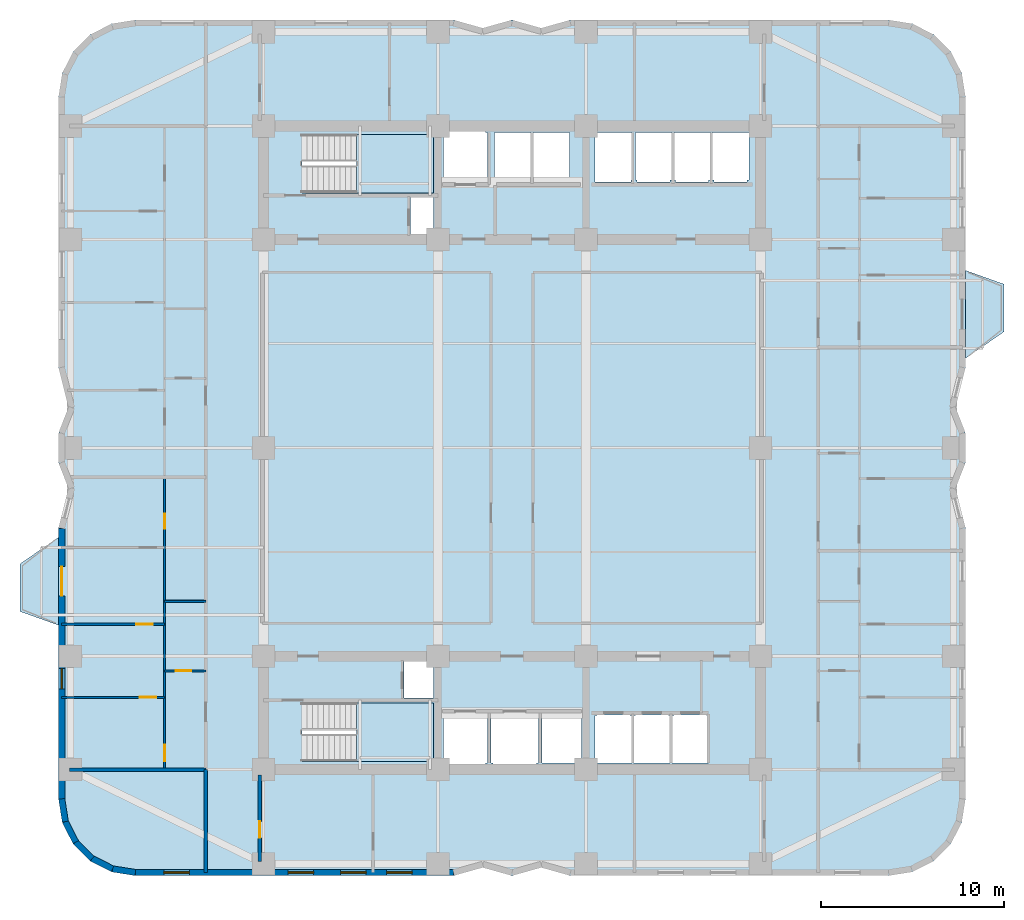
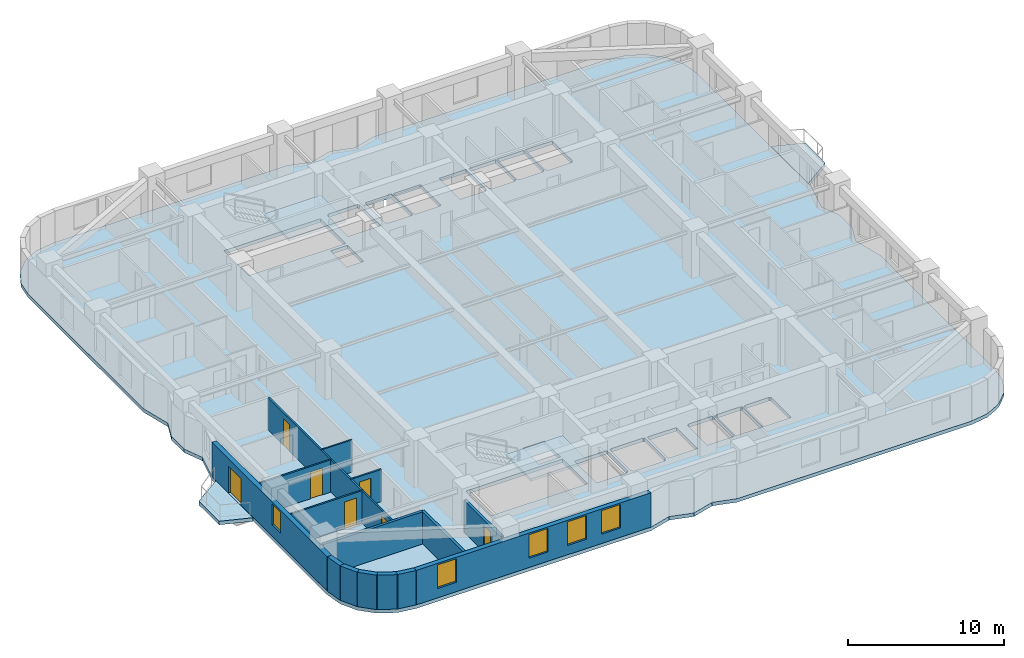
# One storey, part 2 of 9: 15 walls, 7 doors, 5 slabs, 5 windows, 12 openings, 2 elements without a shape of their own.
"""IFC4 building model written with IfcOpenShell, lengths in metres."""

from ifc_helpers import new_model, si_unit, direction, frame, frame_2d, origin, place, context, subcontext, project, spatial, polyline, rectangle, outline, extrude, material, layer, layer_set, type_object, element, fill, aggregate, save


model = new_model("IFC4")

# Units and contexts
model_context = context("Model", 3, precision=1e-05, world=origin(), true_north=direction((0.0, 1.0)))
body_context = subcontext(model_context, "Body", "Model", "MODEL_VIEW")
ifc_project = project(units=[si_unit("LENGTHUNIT", "METRE"), si_unit("AREAUNIT", "SQUARE_METRE"), si_unit("VOLUMEUNIT", "CUBIC_METRE"), si_unit("PLANEANGLEUNIT", "RADIAN"), si_unit("MASSUNIT", "GRAM", prefix="KILO")], contexts=[model_context])

# Site, building, storey
site_placement = place(None, origin())
site = spatial("IfcSite", under=ifc_project, at=site_placement, CompositionType="ELEMENT")
building_placement = place(site_placement, origin())
building = spatial("IfcBuilding", under=site, at=building_placement, Name="Svetorya Sky Lyceum", CompositionType="ELEMENT")
storey_placement = place(building_placement, frame((0.0, 0.0, 32.5)))
storey = spatial("IfcBuildingStorey", under=building, at=storey_placement, Name="L07", CompositionType="ELEMENT", Elevation=32.5)

# Slabs
ifc_material_1 = material(Name="Concrete C40/50", Category="concrete")
ifc_layer_1 = layer(ifc_material_1, 0.280029296875)
ifc_layer_set_1 = layer_set([ifc_layer_1], Name="Concrete C40/50")
slab_type_1 = type_object("IfcSlabType", Name="SL-BAL-280", PredefinedType="FLOOR", material=ifc_layer_set_1)
slab_1_placement = place(storey_placement, frame((0.0, 0.0, -0.280029296875)))
element("IfcSlab", 1, at=slab_1_placement, inside=storey, type_object=slab_type_1, Name="L07 Chamfered Loggia Balcony BAL-W1", PredefinedType="FLOOR", context=body_context, shape_type="SweptSolid", body=[
    extrude(outline(polyline([(14.389892578125, 18.5), (14.389892578125, 23.300048828125), (12.2900390625, 21.85009765625), (12.2900390625, 19.25), (14.389892578125, 18.5)])), origin(), (0.0, 0.0, 1.0), 0.280029296875),
])
slab_2_placement = place(storey_placement, frame((0.0, 0.0, -0.280029296875)))
element("IfcSlab", 2, at=slab_2_placement, inside=storey, type_object=slab_type_1, Name="L07 Chamfered Loggia Balcony BAL-E1", PredefinedType="FLOOR", context=body_context, shape_type="SweptSolid", body=[
    extrude(outline(polyline([(64.010009765625, 33.10009765625), (66.110107421875, 34.550048828125), (66.110107421875, 37.14990234375), (64.010009765625, 37.89990234375), (64.010009765625, 33.10009765625)])), origin(), (0.0, 0.0, 1.0), 0.280029296875),
])

# Stair, slab
stair_type_1 = type_object("IfcStairType", Name="STR-ST-S", PredefinedType="HALF_TURN_STAIR", material=ifc_material_1)
stair_1_placement = place(storey_placement, origin())
stair_1 = element("IfcStair", 3, at=stair_1_placement, inside=storey, type_object=stair_type_1, Name="L07 South Core Smoke-Free Exit Stair N2", PredefinedType="HALF_TURN_STAIR")
ifc_layer_2 = layer(ifc_material_1, 0.199951171875)
ifc_layer_set_2 = layer_set([ifc_layer_2], Name="Concrete C40/50")
slab_type_2 = type_object("IfcSlabType", Name="SL-STR-LAND-200", PredefinedType="LANDING", material=ifc_layer_set_2)
slab_3_placement = place(storey_placement, frame((0.0, 0.0, 1.64990234375)))
slab_3 = element("IfcSlab", 4, at=slab_3_placement, type_object=slab_type_2, Name="ST-S landing 1", PredefinedType="LANDING", context=body_context, shape_type="SweptSolid", body=[
    extrude(outline(polyline([(30.699951171875, 11.050048828125), (34.89990234375, 11.050048828125), (34.89990234375, 14.25), (30.699951171875, 14.25), (30.699951171875, 11.050048828125)])), origin(), (0.0, 0.0, 1.0), 0.2001953125),
])
aggregate(stair_1, [slab_3])

stair_type_2 = type_object("IfcStairType", Name="STR-ST-N", PredefinedType="HALF_TURN_STAIR", material=ifc_material_1)
stair_2_placement = place(storey_placement, origin())
stair_2 = element("IfcStair", 5, at=stair_2_placement, inside=storey, type_object=stair_type_2, Name="L07 North Core Smoke-Free Exit Stair N3", PredefinedType="HALF_TURN_STAIR")
slab_4_placement = place(storey_placement, frame((0.0, 0.0, 1.64990234375)))
slab_4 = element("IfcSlab", 6, at=slab_4_placement, type_object=slab_type_2, Name="ST-N landing 1", PredefinedType="LANDING", context=body_context, shape_type="SweptSolid", body=[
    extrude(outline(polyline([(30.699951171875, 42.14990234375), (34.89990234375, 42.14990234375), (34.89990234375, 45.35009765625), (30.699951171875, 45.35009765625), (30.699951171875, 42.14990234375)])), origin(), (0.0, 0.0, 1.0), 0.2001953125),
])
aggregate(stair_2, [slab_4])

# Slab
ifc_material_2 = material(Name="Concrete C50/60", Category="concrete")
ifc_layer_3 = layer(ifc_material_2, 0.280029296875)
ifc_layer_set_3 = layer_set([ifc_layer_3], Name="Concrete C50/60")
slab_type_3 = type_object("IfcSlabType", Name="SL-TWR-280", PredefinedType="FLOOR", material=ifc_layer_set_3)
slab_5_placement = place(storey_placement, frame((0.0, 0.0, -0.280029296875)))
element("IfcSlab", 7, at=slab_5_placement, inside=storey, type_object=slab_type_3, Name="L07 Structural Floor Slab", PredefinedType="FLOOR", context=body_context, shape_type="SweptSolid", body=[
    extrude(outline(polyline([(14.39990234375, 9.0), (14.605712890625, 7.7021484375), (15.2021484375, 6.53125), (16.13134765625, 5.60205078125), (17.302001953125, 5.005615234375), (18.60009765625, 4.800048828125), (36.0, 4.800048828125), (37.60009765625, 5.25), (39.199951171875, 4.800048828125), (40.800048828125, 5.25), (42.39990234375, 4.800048828125), (59.800048828125, 4.800048828125), (61.097900390625, 5.005615234375), (62.268798828125, 5.60205078125), (63.197998046875, 6.53125), (63.79443359375, 7.7021484375), (64.0, 9.0), (64.0, 23.800048828125), (63.449951171875, 26.0), (64.0, 27.39990234375), (64.0, 29.0), (63.449951171875, 30.39990234375), (64.0, 32.60009765625), (64.0, 47.39990234375), (63.79443359375, 48.697998046875), (63.197998046875, 49.86865234375), (62.268798828125, 50.7978515625), (61.097900390625, 51.394287109375), (59.800048828125, 51.60009765625), (42.39990234375, 51.60009765625), (40.800048828125, 51.14990234375), (39.199951171875, 51.60009765625), (37.60009765625, 51.14990234375), (36.0, 51.60009765625), (18.60009765625, 51.60009765625), (17.302001953125, 51.394287109375), (16.13134765625, 50.7978515625), (15.2021484375, 49.86865234375), (14.605712890625, 48.697998046875), (14.39990234375, 47.39990234375), (14.39990234375, 32.60009765625), (14.949951171875, 30.39990234375), (14.39990234375, 29.0), (14.39990234375, 27.39990234375), (14.949951171875, 26.0), (14.39990234375, 23.800048828125), (14.39990234375, 9.0)]), holes=[polyline([(35.550048828125, 13.64990234375), (37.75, 13.64990234375), (37.85009765625, 13.64990234375), (37.85009765625, 10.949951171875), (37.75, 10.949951171875), (37.75, 10.85009765625), (35.550048828125, 10.85009765625), (35.550048828125, 10.949951171875), (35.449951171875, 10.949951171875), (35.449951171875, 13.64990234375), (35.550048828125, 13.64990234375)]), polyline([(40.64990234375, 10.949951171875), (40.550048828125, 10.949951171875), (40.550048828125, 10.800048828125), (38.14990234375, 10.800048828125), (38.14990234375, 10.949951171875), (38.050048828125, 10.949951171875), (38.050048828125, 13.64990234375), (38.14990234375, 13.64990234375), (38.14990234375, 13.699951171875), (40.550048828125, 13.699951171875), (40.550048828125, 13.64990234375), (40.64990234375, 13.64990234375), (40.64990234375, 10.949951171875)]), polyline([(40.85009765625, 13.64990234375), (43.0, 13.64990234375), (43.0, 10.949951171875), (40.85009765625, 10.949951171875), (40.85009765625, 13.64990234375)]), polyline([(27.719970703125, 14.25), (34.89990234375, 14.25), (34.89990234375, 11.050048828125), (27.719970703125, 11.050048828125), (27.719970703125, 14.25)]), polyline([(33.300048828125, 16.580078125), (34.89990234375, 16.580078125), (34.89990234375, 14.52001953125), (33.300048828125, 14.52001953125), (33.300048828125, 16.580078125)]), polyline([(33.64990234375, 39.820068359375), (33.64990234375, 41.89990234375), (34.89990234375, 41.89990234375), (34.89990234375, 39.820068359375), (33.64990234375, 39.820068359375)]), polyline([(27.719970703125, 45.35009765625), (34.89990234375, 45.35009765625), (34.89990234375, 42.14990234375), (27.719970703125, 42.14990234375), (27.719970703125, 45.35009765625)]), polyline([(35.550048828125, 42.75), (35.449951171875, 42.75), (35.449951171875, 45.449951171875), (35.550048828125, 45.449951171875), (35.550048828125, 45.550048828125), (37.75, 45.550048828125), (37.75, 45.449951171875), (37.85009765625, 45.449951171875), (37.85009765625, 42.75), (37.75, 42.75), (35.550048828125, 42.75)]), polyline([(40.199951171875, 42.85009765625), (40.199951171875, 42.75), (38.39990234375, 42.75), (38.39990234375, 42.85009765625), (38.25, 42.85009765625), (38.25, 45.449951171875), (38.39990234375, 45.449951171875), (40.199951171875, 45.449951171875), (40.25, 45.449951171875), (40.25, 42.85009765625), (40.199951171875, 42.85009765625)]), polyline([(40.39990234375, 42.85009765625), (40.35009765625, 42.85009765625), (40.35009765625, 45.449951171875), (40.39990234375, 45.449951171875), (42.300048828125, 45.449951171875), (42.35009765625, 45.449951171875), (42.35009765625, 42.85009765625), (42.300048828125, 42.85009765625), (42.300048828125, 42.75), (40.39990234375, 42.75), (40.39990234375, 42.85009765625)]), polyline([(43.85009765625, 10.949951171875), (43.75, 10.949951171875), (43.75, 13.550048828125), (43.85009765625, 13.550048828125), (43.85009765625, 13.60009765625), (45.64990234375, 13.60009765625), (45.64990234375, 13.550048828125), (45.75, 13.550048828125), (45.75, 10.949951171875), (45.64990234375, 10.949951171875), (43.85009765625, 10.949951171875)]), polyline([(45.949951171875, 10.949951171875), (45.85009765625, 10.949951171875), (45.85009765625, 13.550048828125), (45.949951171875, 13.550048828125), (45.949951171875, 13.60009765625), (47.75, 13.60009765625), (47.75, 13.550048828125), (47.85009765625, 13.550048828125), (47.85009765625, 10.949951171875), (47.75, 10.949951171875), (45.949951171875, 10.949951171875)]), polyline([(49.85009765625, 13.550048828125), (49.949951171875, 13.550048828125), (49.949951171875, 10.949951171875), (49.85009765625, 10.949951171875), (48.050048828125, 10.949951171875), (47.949951171875, 10.949951171875), (47.949951171875, 13.550048828125), (48.050048828125, 13.550048828125), (48.050048828125, 13.60009765625), (49.85009765625, 13.60009765625), (49.85009765625, 13.550048828125)]), polyline([(43.75, 42.85009765625), (43.75, 45.449951171875), (45.699951171875, 45.449951171875), (45.75, 45.449951171875), (45.75, 42.85009765625), (45.699951171875, 42.85009765625), (45.699951171875, 42.75), (43.75, 42.75), (43.75, 42.85009765625)]), polyline([(46.050048828125, 42.85009765625), (45.949951171875, 42.85009765625), (45.949951171875, 45.449951171875), (46.050048828125, 45.449951171875), (47.85009765625, 45.449951171875), (47.949951171875, 45.449951171875), (47.949951171875, 42.85009765625), (47.85009765625, 42.85009765625), (47.85009765625, 42.75), (46.050048828125, 42.75), (46.050048828125, 42.85009765625)]), polyline([(48.14990234375, 42.85009765625), (48.050048828125, 42.85009765625), (48.050048828125, 45.449951171875), (48.14990234375, 45.449951171875), (49.949951171875, 45.449951171875), (50.050048828125, 45.449951171875), (50.050048828125, 42.85009765625), (49.949951171875, 42.85009765625), (49.949951171875, 42.75), (48.14990234375, 42.75), (48.14990234375, 42.85009765625)]), polyline([(50.25, 42.85009765625), (50.14990234375, 42.85009765625), (50.14990234375, 45.449951171875), (50.25, 45.449951171875), (52.050048828125, 45.449951171875), (52.14990234375, 45.449951171875), (52.14990234375, 42.85009765625), (52.050048828125, 42.85009765625), (52.050048828125, 42.75), (50.25, 42.75), (50.25, 42.85009765625)])]), origin(), (0.0, 0.0, 1.0), 0.280029296875),
])

# Walls
ifc_material_3 = material(Name="Putilovo limestone rainscreen on autoclaved cellular masonry", Category="masonry")
ifc_layer_4 = layer(ifc_material_3, 0.340087890625)
ifc_layer_set_4 = layer_set([ifc_layer_4], Name="Putilovo limestone rainscreen on autoclaved cellular masonry")
wall_type_1 = type_object("IfcWallType", Name="WL-EXT-340", PredefinedType="SOLIDWALL", material=ifc_layer_set_4)
wall_1_placement = place(storey_placement, frame((14.570068359375, 9.0, 0.0), z_axis=(0.0, 0.0, 1.0), x_axis=(0.156260864002, -0.98771582066, 0.0)))
element("IfcWall", 8, at=wall_1_placement, inside=storey, type_object=wall_type_1, Name="L07 Limestone Exterior Wall 1M", PredefinedType="SOLIDWALL", context=body_context, shape_type="SweptSolid", body=[
    extrude(rectangle(XDim=1.2607421875, YDim=0.340087890625, at=frame_2d((0.63037109375, 0.0))), origin(), (0.0, 0.0, 1.0), 2.699951171875),
])
wall_2_placement = place(storey_placement, frame((14.76708984375, 7.754638671875, 0.0), z_axis=(0.0, 0.0, 1.0), x_axis=(0.454015689056, -0.890993689142, 0.0)))
element("IfcWall", 9, at=wall_2_placement, inside=storey, type_object=wall_type_1, Name="L07 Limestone Exterior Wall 2M", PredefinedType="SOLIDWALL", context=body_context, shape_type="SweptSolid", body=[
    extrude(rectangle(XDim=1.260986328125, YDim=0.340087890625, at=frame_2d((0.63037109375, 0.0))), origin(), (0.0, 0.0, 1.0), 2.699951171875),
])
wall_3_placement = place(storey_placement, frame((15.339599609375, 6.631103515625, 0.0), z_axis=(0.0, 0.0, 1.0), x_axis=(0.707203598708, -0.707009950407, 0.0)))
element("IfcWall", 10, at=wall_3_placement, inside=storey, type_object=wall_type_1, Name="L07 Limestone Exterior Wall 3M", PredefinedType="SOLIDWALL", context=body_context, shape_type="SweptSolid", body=[
    extrude(rectangle(XDim=1.2607421875, YDim=0.340087890625, at=frame_2d((0.63037109375, 0.0))), origin(), (0.0, 0.0, 1.0), 2.699951171875),
])
for number, where, z_axis, x_axis, name in (
    (11, (16.231201171875, 5.73974609375, 0.0), (0.0, 0.0, 1.0), (0.890993689142, -0.454015689056, 0.0), "L07 Limestone Exterior Wall 4M"),
    (12, (17.354736328125, 5.167236328125, 0.0), (0.0, 0.0, 1.0), (0.987685918112, -0.15644975923, 0.0), "L07 Limestone Exterior Wall 5M"),
):
    element("IfcWall", number, at=place(storey_placement, frame(where, z_axis=z_axis, x_axis=x_axis)), inside=storey, type_object=wall_type_1, Name=name, PredefinedType="SOLIDWALL", context=body_context, shape_type="SweptSolid", body=[
        extrude(rectangle(XDim=1.260986328125, YDim=0.340087890625, at=frame_2d((0.63037109375, 0.0))), origin(), (0.0, 0.0, 1.0), 2.699951171875),
    ])

# Wall, openings, windows
wall_4_placement = place(storey_placement, frame((18.60009765625, 4.969970703125, 0.0), z_axis=(0.0, 0.0, 1.0), x_axis=(1.0, 0.0, 0.0)))
wall_4 = element("IfcWall", 13, at=wall_4_placement, inside=storey, type_object=wall_type_1, Name="L07 Limestone Exterior Wall 6M", PredefinedType="SOLIDWALL", context=body_context, shape_type="SweptSolid", body=[
    extrude(rectangle(XDim=17.39990234375, YDim=0.340087890625, at=frame_2d((8.699951171875, 0.0))), origin(), (0.0, 0.0, 1.0), 2.699951171875),
])
opening_1_placement = place(wall_4_placement, frame((1.56005859375, 0.0, 0.72998046875)))
opening_1 = element("IfcOpeningElement", 14, at=opening_1_placement, cuts=wall_4, Name="Opening W-R2", PredefinedType="OPENING", context=body_context, shape_type="SweptSolid", body=[
    extrude(rectangle(XDim=1.39990234375, YDim=1.85009765625, at=frame_2d((0.699951171875, 0.925048828125))), frame((0.0, 0.179931640625, 0.0), z_axis=(0.0, -1.0, 0.0), x_axis=(1.0, 0.0, 0.0)), (0.0, 0.0, 1.0), 0.360107421875),
])
opening_2_placement = place(wall_4_placement, frame((8.35009765625, 0.0, 0.72998046875)))
opening_2 = element("IfcOpeningElement", 15, at=opening_2_placement, cuts=wall_4, Name="Opening W-R2", PredefinedType="OPENING", context=body_context, shape_type="SweptSolid", body=[
    extrude(rectangle(XDim=1.39990234375, YDim=1.85009765625, at=frame_2d((0.699951171875, 0.925048828125))), frame((0.0, 0.179931640625, 0.0), z_axis=(0.0, -1.0, 0.0), x_axis=(1.0, 0.0, 0.0)), (0.0, 0.0, 1.0), 0.360107421875),
])
opening_3_placement = place(wall_4_placement, frame((11.219970703125, 0.0, 0.72998046875)))
opening_3 = element("IfcOpeningElement", 16, at=opening_3_placement, cuts=wall_4, Name="Opening W-R2", PredefinedType="OPENING", context=body_context, shape_type="SweptSolid", body=[
    extrude(rectangle(XDim=1.39990234375, YDim=1.85009765625, at=frame_2d((0.699951171875, 0.925048828125))), frame((0.0, 0.179931640625, 0.0), z_axis=(0.0, -1.0, 0.0), x_axis=(1.0, 0.0, 0.0)), (0.0, 0.0, 1.0), 0.360107421875),
])
opening_4_placement = place(wall_4_placement, frame((13.739990234375, 0.0, 0.72998046875)))
opening_4 = element("IfcOpeningElement", 17, at=opening_4_placement, cuts=wall_4, Name="Opening W-R2", PredefinedType="OPENING", context=body_context, shape_type="SweptSolid", body=[
    extrude(rectangle(XDim=1.39990234375, YDim=1.85009765625, at=frame_2d((0.699951171875, 0.925048828125))), frame((0.0, 0.179931640625, 0.0), z_axis=(0.0, -1.0, 0.0), x_axis=(1.0, 0.0, 0.0)), (0.0, 0.0, 1.0), 0.360107421875),
])
ifc_material_4 = material(Name="Thermally broken aluminium frame with triple low-E glazing", Category="aluminium")
window_type_1 = type_object("IfcWindowType", Name="WN-RES-140", PartitioningType="SINGLE_PANEL", PredefinedType="WINDOW", material=ifc_material_4)
window_1_placement = place(opening_1_placement, origin())
window_1 = element("IfcWindow", 18, at=window_1_placement, inside=storey, type_object=window_type_1, Name="L07 Facade Window W-R2.6M.1", OverallHeight=1.85009765625, OverallWidth=1.39990234375, PartitioningType="SINGLE_PANEL", PredefinedType="WINDOW", context=body_context, shape_type="SweptSolid", body=[
    extrude(rectangle(XDim=1.39990234375, YDim=1.85009765625, at=frame_2d((0.699951171875, 0.925048828125))), frame((0.0, 0.030029296875, 0.0), z_axis=(0.0, -1.0, 0.0), x_axis=(1.0, 0.0, 0.0)), (0.0, 0.0, 1.0), 0.06005859375),
])
fill(opening_1, window_1)
window_2_placement = place(opening_2_placement, origin())
window_2 = element("IfcWindow", 19, at=window_2_placement, inside=storey, type_object=window_type_1, Name="L07 Facade Window W-R2.6M.2", OverallHeight=1.85009765625, OverallWidth=1.39990234375, PartitioningType="SINGLE_PANEL", PredefinedType="WINDOW", context=body_context, shape_type="SweptSolid", body=[
    extrude(rectangle(XDim=1.39990234375, YDim=1.85009765625, at=frame_2d((0.699951171875, 0.925048828125))), frame((0.0, 0.030029296875, 0.0), z_axis=(0.0, -1.0, 0.0), x_axis=(1.0, 0.0, 0.0)), (0.0, 0.0, 1.0), 0.06005859375),
])
fill(opening_2, window_2)
window_3_placement = place(opening_3_placement, origin())
window_3 = element("IfcWindow", 20, at=window_3_placement, inside=storey, type_object=window_type_1, Name="L07 Facade Window W-R2.6M.3", OverallHeight=1.85009765625, OverallWidth=1.39990234375, PartitioningType="SINGLE_PANEL", PredefinedType="WINDOW", context=body_context, shape_type="SweptSolid", body=[
    extrude(rectangle(XDim=1.39990234375, YDim=1.85009765625, at=frame_2d((0.699951171875, 0.925048828125))), frame((0.0, 0.030029296875, 0.0), z_axis=(0.0, -1.0, 0.0), x_axis=(1.0, 0.0, 0.0)), (0.0, 0.0, 1.0), 0.06005859375),
])
fill(opening_3, window_3)
window_4_placement = place(opening_4_placement, origin())
window_4 = element("IfcWindow", 21, at=window_4_placement, inside=storey, type_object=window_type_1, Name="L07 Facade Window W-R2.6M.4", OverallHeight=1.85009765625, OverallWidth=1.39990234375, PartitioningType="SINGLE_PANEL", PredefinedType="WINDOW", context=body_context, shape_type="SweptSolid", body=[
    extrude(rectangle(XDim=1.39990234375, YDim=1.85009765625, at=frame_2d((0.699951171875, 0.925048828125))), frame((0.0, 0.030029296875, 0.0), z_axis=(0.0, -1.0, 0.0), x_axis=(1.0, 0.0, 0.0)), (0.0, 0.0, 1.0), 0.06005859375),
])
fill(opening_4, window_4)

# Wall, openings, door, window
wall_5_placement = place(storey_placement, frame((14.570068359375, 23.800048828125, 0.0), z_axis=(0.0, 0.0, 1.0), x_axis=(0.0, -1.0, 0.0)))
wall_5 = element("IfcWall", 22, at=wall_5_placement, inside=storey, type_object=wall_type_1, Name="L07 Limestone Exterior Wall 46M", PredefinedType="SOLIDWALL", context=body_context, shape_type="SweptSolid", body=[
    extrude(rectangle(XDim=14.800048828125, YDim=0.340087890625, at=frame_2d((7.39990234375, 0.0))), origin(), (0.0, 0.0, 1.0), 2.699951171875),
])
opening_5_placement = place(wall_5_placement, frame((2.10009765625, 0.0, 0.0)))
opening_5 = element("IfcOpeningElement", 23, at=opening_5_placement, cuts=wall_5, Name="Opening D-BL1", PredefinedType="OPENING", context=body_context, shape_type="SweptSolid", body=[
    extrude(rectangle(XDim=1.60009765625, YDim=2.10009765625, at=frame_2d((0.800048828125, 1.050048828125))), frame((0.0, 0.179931640625, 0.0), z_axis=(0.0, -1.0, 0.0), x_axis=(1.0, 0.0, 0.0)), (0.0, 0.0, 1.0), 0.360107421875),
])
opening_6_placement = place(wall_5_placement, frame((7.679931640625, 0.0, 0.889892578125)))
opening_6 = element("IfcOpeningElement", 24, at=opening_6_placement, cuts=wall_5, Name="Opening W-R3", PredefinedType="OPENING", context=body_context, shape_type="SweptSolid", body=[
    extrude(rectangle(XDim=1.10009765625, YDim=1.64990234375, at=frame_2d((0.550048828125, 0.824951171875))), frame((0.0, 0.179931640625, 0.0), z_axis=(0.0, -1.0, 0.0), x_axis=(1.0, 0.0, 0.0)), (0.0, 0.0, 1.0), 0.360107421875),
])
ifc_material_5 = material(Name="Insulated glazed aluminium balcony door", Category="aluminium")
door_type_1 = type_object("IfcDoorType", Name="DR-BAL-1600", OperationType="DOUBLE_DOOR_SINGLE_SWING", PredefinedType="DOOR", material=ifc_material_5)
door_1_placement = place(opening_5_placement, origin())
door_1 = element("IfcDoor", 25, at=door_1_placement, inside=storey, type_object=door_type_1, Name="L07 Balcony BAL-W1 Door", OperationType="DOUBLE_DOOR_SINGLE_SWING", OverallHeight=2.10009765625, OverallWidth=1.60009765625, PredefinedType="DOOR", context=body_context, shape_type="SweptSolid", body=[
    extrude(rectangle(XDim=1.60009765625, YDim=2.10009765625, at=frame_2d((0.800048828125, 1.050048828125))), frame((0.0, 0.02490234375, 0.0), z_axis=(0.0, -1.0, 0.0), x_axis=(1.0, 0.0, 0.0)), (0.0, 0.0, 1.0), 0.050048828125),
])
fill(opening_5, door_1)
window_type_2 = type_object("IfcWindowType", Name="WN-RES-110", PartitioningType="SINGLE_PANEL", PredefinedType="WINDOW", material=ifc_material_4)
window_5_placement = place(opening_6_placement, origin())
window_5 = element("IfcWindow", 26, at=window_5_placement, inside=storey, type_object=window_type_2, Name="L07 Facade Window W-R3.46M.1", OverallHeight=1.64990234375, OverallWidth=1.10009765625, PartitioningType="SINGLE_PANEL", PredefinedType="WINDOW", context=body_context, shape_type="SweptSolid", body=[
    extrude(rectangle(XDim=1.10009765625, YDim=1.64990234375, at=frame_2d((0.550048828125, 0.824951171875))), frame((0.0, 0.030029296875, 0.0), z_axis=(0.0, -1.0, 0.0), x_axis=(1.0, 0.0, 0.0)), (0.0, 0.0, 1.0), 0.06005859375),
])
fill(opening_6, window_5)

# Wall
ifc_material_6 = material(Name="Galvanized stud partition with moisture-resistant board", Category="gypsum")
ifc_layer_5 = layer(ifc_material_6, 0.10009765625)
ifc_layer_set_5 = layer_set([ifc_layer_5], Name="Galvanized stud partition with moisture-resistant board")
wall_type_2 = type_object("IfcWallType", Name="WL-PART-100", PredefinedType="PARTITIONING", material=ifc_layer_set_5)
wall_6_placement = place(storey_placement, frame((20.199951171875, 19.800048828125, 0.0), z_axis=(0.0, 0.0, 1.0), x_axis=(1.0, 0.0, 0.0)))
element("IfcWall", 27, at=wall_6_placement, inside=storey, type_object=wall_type_2, Name="L07 Interior Partition W1-WH2", PredefinedType="PARTITIONING", context=body_context, shape_type="SweptSolid", body=[
    extrude(rectangle(XDim=2.25, YDim=0.10009765625, at=frame_2d((1.125, 0.0))), origin(), (0.0, 0.0, 1.0), 2.530029296875),
])

# Wall, opening, door
ifc_material_7 = material(Name="Twin-stud galvanized framing with double fireboard", Category="gypsum")
ifc_layer_6 = layer(ifc_material_7, 0.1201171875)
ifc_layer_set_6 = layer_set([ifc_layer_6], Name="Twin-stud galvanized framing with double fireboard")
wall_type_3 = type_object("IfcWallType", Name="WL-PART-120", PredefinedType="PARTITIONING", material=ifc_layer_set_6)
wall_7_placement = place(storey_placement, frame((20.199951171875, 16.0, 0.0), z_axis=(0.0, 0.0, 1.0), x_axis=(1.0, 0.0, 0.0)))
wall_7 = element("IfcWall", 28, at=wall_7_placement, inside=storey, type_object=wall_type_3, Name="L07 Interior Partition W1-WH1", PredefinedType="PARTITIONING", context=body_context, shape_type="SweptSolid", body=[
    extrude(rectangle(XDim=2.25, YDim=0.1201171875, at=frame_2d((1.125, 0.0))), origin(), (0.0, 0.0, 1.0), 2.530029296875),
])
opening_7_placement = place(wall_7_placement, frame((0.60009765625, 0.0, 0.0)))
opening_7 = element("IfcOpeningElement", 29, at=opening_7_placement, cuts=wall_7, Name="Opening D-BT1", PredefinedType="OPENING", context=body_context, shape_type="SweptSolid", body=[
    extrude(rectangle(XDim=0.85009765625, YDim=2.10009765625, at=frame_2d((0.425048828125, 1.050048828125))), frame((0.0, 0.070068359375, 0.0), z_axis=(0.0, -1.0, 0.0), x_axis=(1.0, 0.0, 0.0)), (0.0, 0.0, 1.0), 0.14013671875),
])
ifc_material_8 = material(Name="Moisture-resistant laminate bathroom door")
door_type_2 = type_object("IfcDoorType", Name="DR-WET-850", OperationType="SINGLE_SWING_LEFT", PredefinedType="DOOR", material=ifc_material_8)
door_2_placement = place(opening_7_placement, origin())
door_2 = element("IfcDoor", 30, at=door_2_placement, inside=storey, type_object=door_type_2, Name="Apartment W1 Bathroom Door", OperationType="SINGLE_SWING_LEFT", OverallHeight=2.10009765625, OverallWidth=0.85009765625, PredefinedType="DOOR", context=body_context, shape_type="SweptSolid", body=[
    extrude(rectangle(XDim=0.85009765625, YDim=2.10009765625, at=frame_2d((0.425048828125, 1.050048828125))), frame((0.0, 0.02490234375, 0.0), z_axis=(0.0, -1.0, 0.0), x_axis=(1.0, 0.0, 0.0)), (0.0, 0.0, 1.0), 0.050048828125),
])
fill(opening_7, door_2)

wall_8_placement = place(storey_placement, frame((14.570068359375, 14.550048828125, 0.0), z_axis=(0.0, 0.0, 1.0), x_axis=(1.0, 0.0, 0.0)))
wall_8 = element("IfcWall", 31, at=wall_8_placement, inside=storey, type_object=wall_type_3, Name="L07 Interior Partition W1-WL1", PredefinedType="PARTITIONING", context=body_context, shape_type="SweptSolid", body=[
    extrude(rectangle(XDim=5.6298828125, YDim=0.1201171875, at=frame_2d((2.81494140625, 0.0))), origin(), (0.0, 0.0, 1.0), 2.530029296875),
])
opening_8_placement = place(wall_8_placement, frame((4.280029296875, 0.0, 0.0)))
opening_8 = element("IfcOpeningElement", 32, at=opening_8_placement, cuts=wall_8, Name="Opening D-RM1", PredefinedType="OPENING", context=body_context, shape_type="SweptSolid", body=[
    extrude(rectangle(XDim=0.89990234375, YDim=2.10009765625, at=frame_2d((0.449951171875, 1.050048828125))), frame((0.0, 0.070068359375, 0.0), z_axis=(0.0, -1.0, 0.0), x_axis=(1.0, 0.0, 0.0)), (0.0, 0.0, 1.0), 0.14013671875),
])
ifc_material_9 = material(Name="Lacquered birch veneer internal door")
door_type_3 = type_object("IfcDoorType", Name="DR-INT-900", OperationType="SINGLE_SWING_LEFT", PredefinedType="DOOR", material=ifc_material_9)
door_3_placement = place(opening_8_placement, origin())
door_3 = element("IfcDoor", 33, at=door_3_placement, inside=storey, type_object=door_type_3, Name="Apartment W1 Master Bedroom Door", OperationType="SINGLE_SWING_LEFT", OverallHeight=2.10009765625, OverallWidth=0.89990234375, PredefinedType="DOOR", context=body_context, shape_type="SweptSolid", body=[
    extrude(rectangle(XDim=0.89990234375, YDim=2.10009765625, at=frame_2d((0.449951171875, 1.050048828125))), frame((0.0, 0.02490234375, 0.0), z_axis=(0.0, -1.0, 0.0), x_axis=(1.0, 0.0, 0.0)), (0.0, 0.0, 1.0), 0.050048828125),
])
fill(opening_8, door_3)

wall_9_placement = place(storey_placement, frame((14.570068359375, 18.550048828125, 0.0), z_axis=(0.0, 0.0, 1.0), x_axis=(1.0, 0.0, 0.0)))
wall_9 = element("IfcWall", 34, at=wall_9_placement, inside=storey, type_object=wall_type_3, Name="L07 Interior Partition W1-WL2", PredefinedType="PARTITIONING", context=body_context, shape_type="SweptSolid", body=[
    extrude(rectangle(XDim=5.6298828125, YDim=0.1201171875, at=frame_2d((2.81494140625, 0.0))), origin(), (0.0, 0.0, 1.0), 2.530029296875),
])
opening_9_placement = place(wall_9_placement, frame((4.080078125, 0.0, 0.0)))
opening_9 = element("IfcOpeningElement", 35, at=opening_9_placement, cuts=wall_9, Name="Opening D-RM1", PredefinedType="OPENING", context=body_context, shape_type="SweptSolid", body=[
    extrude(rectangle(XDim=0.89990234375, YDim=2.10009765625, at=frame_2d((0.449951171875, 1.050048828125))), frame((0.0, 0.070068359375, 0.0), z_axis=(0.0, -1.0, 0.0), x_axis=(1.0, 0.0, 0.0)), (0.0, 0.0, 1.0), 0.14013671875),
])
door_4_placement = place(opening_9_placement, origin())
door_4 = element("IfcDoor", 36, at=door_4_placement, inside=storey, type_object=door_type_3, Name="Apartment W1 Bedroom 2 Door", OperationType="SINGLE_SWING_RIGHT", OverallHeight=2.10009765625, OverallWidth=0.89990234375, PredefinedType="DOOR", context=body_context, shape_type="SweptSolid", body=[
    extrude(rectangle(XDim=0.89990234375, YDim=2.10009765625, at=frame_2d((0.449951171875, 1.050048828125))), frame((0.0, 0.02490234375, 0.0), z_axis=(0.0, -1.0, 0.0), x_axis=(1.0, 0.0, 0.0)), (0.0, 0.0, 1.0), 0.050048828125),
])
fill(opening_9, door_4)

# Wall, openings, doors
wall_10_placement = place(storey_placement, frame((20.199951171875, 10.639892578125, 0.0), z_axis=(0.0, 0.0, 1.0), x_axis=(0.0, 1.0, 0.0)))
wall_10 = element("IfcWall", 37, at=wall_10_placement, inside=storey, type_object=wall_type_3, Name="L07 Interior Partition W1-WV", PredefinedType="PARTITIONING", context=body_context, shape_type="SweptSolid", body=[
    extrude(rectangle(XDim=15.920166015625, YDim=0.1201171875, at=frame_2d((7.9599609375, 0.0))), origin(), (0.0, 0.0, 1.0), 2.530029296875),
])
opening_10_placement = place(wall_10_placement, frame((0.409912109375, 0.0, 0.0)))
opening_10 = element("IfcOpeningElement", 38, at=opening_10_placement, cuts=wall_10, Name="Opening D-RM1", PredefinedType="OPENING", context=body_context, shape_type="SweptSolid", body=[
    extrude(rectangle(XDim=0.89990234375, YDim=2.10009765625, at=frame_2d((0.449951171875, 1.050048828125))), frame((0.0, 0.070068359375, 0.0), z_axis=(0.0, -1.0, 0.0), x_axis=(1.0, 0.0, 0.0)), (0.0, 0.0, 1.0), 0.14013671875),
])
opening_11_placement = place(wall_10_placement, frame((13.125, 0.0, 0.0)))
opening_11 = element("IfcOpeningElement", 39, at=opening_11_placement, cuts=wall_10, Name="Opening D-BT2", PredefinedType="OPENING", context=body_context, shape_type="SweptSolid", body=[
    extrude(rectangle(XDim=0.820068359375, YDim=2.080078125, at=frame_2d((0.41015625, 1.0400390625))), frame((0.0, 0.070068359375, 0.0), z_axis=(0.0, -1.0, 0.0), x_axis=(1.0, 0.0, 0.0)), (0.0, 0.0, 1.0), 0.14013671875),
])
door_5_placement = place(opening_10_placement, origin())
door_5 = element("IfcDoor", 40, at=door_5_placement, inside=storey, type_object=door_type_3, Name="Apartment W1 Living Door", OperationType="SINGLE_SWING_RIGHT", OverallHeight=2.10009765625, OverallWidth=0.89990234375, PredefinedType="DOOR", context=body_context, shape_type="SweptSolid", body=[
    extrude(rectangle(XDim=0.89990234375, YDim=2.10009765625, at=frame_2d((0.449951171875, 1.050048828125))), frame((0.0, 0.02490234375, 0.0), z_axis=(0.0, -1.0, 0.0), x_axis=(1.0, 0.0, 0.0)), (0.0, 0.0, 1.0), 0.050048828125),
])
fill(opening_10, door_5)
ifc_material_10 = material(Name="Compact moisture-resistant laminate closet door")
door_type_4 = type_object("IfcDoorType", Name="DR-WET-820", OperationType="SINGLE_SWING_LEFT", PredefinedType="DOOR", material=ifc_material_10)
door_6_placement = place(opening_11_placement, origin())
door_6 = element("IfcDoor", 41, at=door_6_placement, inside=storey, type_object=door_type_4, Name="Apartment W1 Study Door", OperationType="SINGLE_SWING_LEFT", OverallHeight=2.080078125, OverallWidth=0.820068359375, PredefinedType="DOOR", context=body_context, shape_type="SweptSolid", body=[
    extrude(rectangle(XDim=0.820068359375, YDim=2.080078125, at=frame_2d((0.41015625, 1.0400390625))), frame((0.0, 0.02490234375, 0.0), z_axis=(0.0, -1.0, 0.0), x_axis=(1.0, 0.0, 0.0)), (0.0, 0.0, 1.0), 0.050048828125),
])
fill(opening_11, door_6)

# Walls
ifc_material_11 = material(Name="Autoclaved cellular masonry blockwork with gypsum plaster", Category="masonry")
ifc_layer_7 = layer(ifc_material_11, 0.199951171875)
ifc_layer_set_7 = layer_set([ifc_layer_7], Name="Autoclaved cellular masonry blockwork with gypsum plaster")
wall_type_4 = type_object("IfcWallType", Name="WL-PART-200", PredefinedType="PARTITIONING", material=ifc_layer_set_7)
wall_11_placement = place(storey_placement, frame((14.989990234375, 10.60009765625, 0.0), z_axis=(0.0, 0.0, 1.0), x_axis=(1.0, 0.0, 0.0)))
element("IfcWall", 42, at=wall_11_placement, inside=storey, type_object=wall_type_4, Name="L07 Interior Partition W-CAP-S", PredefinedType="PARTITIONING", context=body_context, shape_type="SweptSolid", body=[
    extrude(rectangle(XDim=7.4599609375, YDim=0.199951171875, at=frame_2d((3.72998046875, 0.0))), origin(), (0.0, 0.0, 1.0), 2.530029296875),
])
wall_12_placement = place(storey_placement, frame((22.449951171875, 4.969970703125, 0.0), z_axis=(0.0, 0.0, 1.0), x_axis=(0.0, 1.0, 0.0)))
element("IfcWall", 43, at=wall_12_placement, inside=storey, type_object=wall_type_4, Name="L07 Interior Partition WC-SW-END", PredefinedType="PARTITIONING", context=body_context, shape_type="SweptSolid", body=[
    extrude(rectangle(XDim=5.630126953125, YDim=0.199951171875, at=frame_2d((2.81494140625, 0.0))), origin(), (0.0, 0.0, 1.0), 2.530029296875),
])

# Wall, opening, door
wall_13_placement = place(storey_placement, frame((25.39990234375, 5.570068359375, 0.0), z_axis=(0.0, 0.0, 1.0), x_axis=(0.0, 1.0, 0.0)))
wall_13 = element("IfcWall", 44, at=wall_13_placement, inside=storey, type_object=wall_type_4, Name="L07 Interior Partition S-EW", PredefinedType="PARTITIONING", context=body_context, shape_type="SweptSolid", body=[
    extrude(rectangle(XDim=4.72998046875, YDim=0.199951171875, at=frame_2d((2.364990234375, 0.0))), origin(), (0.0, 0.0, 1.0), 2.530029296875),
])
opening_12_placement = place(wall_13_placement, frame((1.300048828125, 0.0, 0.0)))
opening_12 = element("IfcOpeningElement", 45, at=opening_12_placement, cuts=wall_13, Name="Opening D-RM1", PredefinedType="OPENING", context=body_context, shape_type="SweptSolid", body=[
    extrude(rectangle(XDim=0.89990234375, YDim=2.10009765625, at=frame_2d((0.449951171875, 1.050048828125))), frame((0.0, 0.10986328125, 0.0), z_axis=(0.0, -1.0, 0.0), x_axis=(1.0, 0.0, 0.0)), (0.0, 0.0, 1.0), 0.219970703125),
])
door_7_placement = place(opening_12_placement, origin())
door_7 = element("IfcDoor", 46, at=door_7_placement, inside=storey, type_object=door_type_3, Name="L07 South Study Door", OperationType="SINGLE_SWING_LEFT", OverallHeight=2.10009765625, OverallWidth=0.89990234375, PredefinedType="DOOR", context=body_context, shape_type="SweptSolid", body=[
    extrude(rectangle(XDim=0.89990234375, YDim=2.10009765625, at=frame_2d((0.449951171875, 1.050048828125))), frame((0.0, 0.02490234375, 0.0), z_axis=(0.0, -1.0, 0.0), x_axis=(1.0, 0.0, 0.0)), (0.0, 0.0, 1.0), 0.050048828125),
])
fill(opening_12, door_7)

save(model, "model.ifc")
